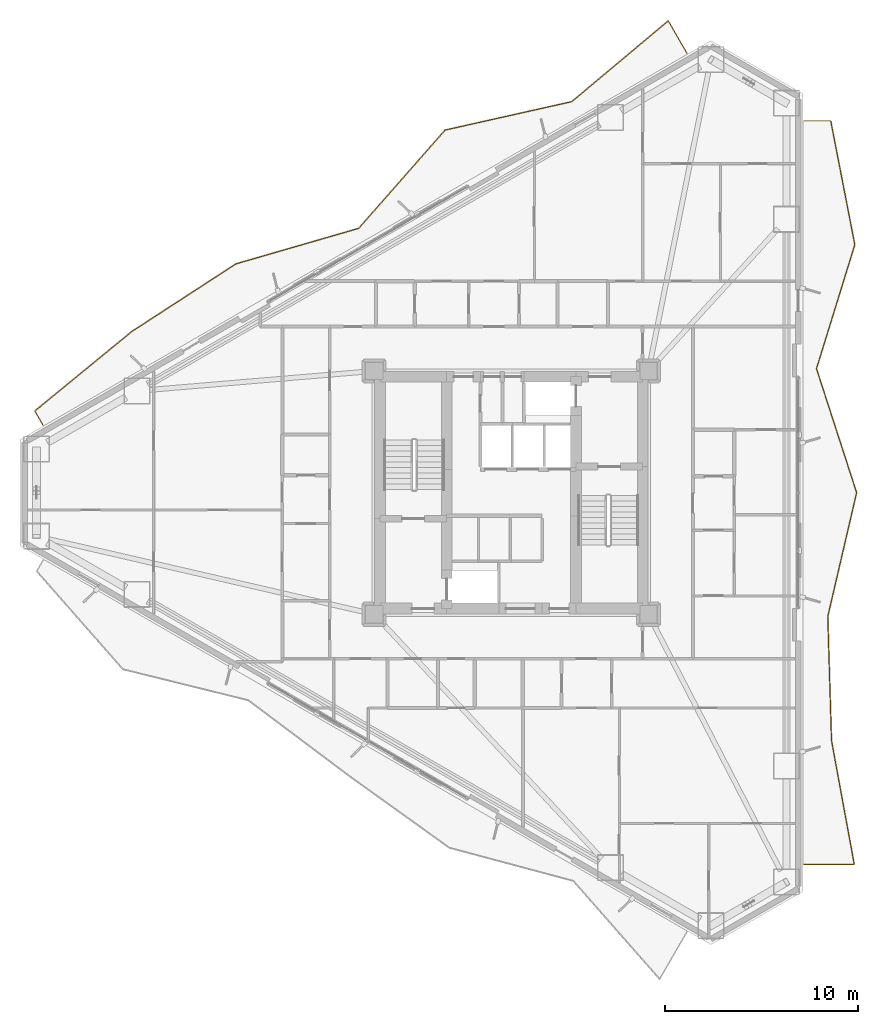
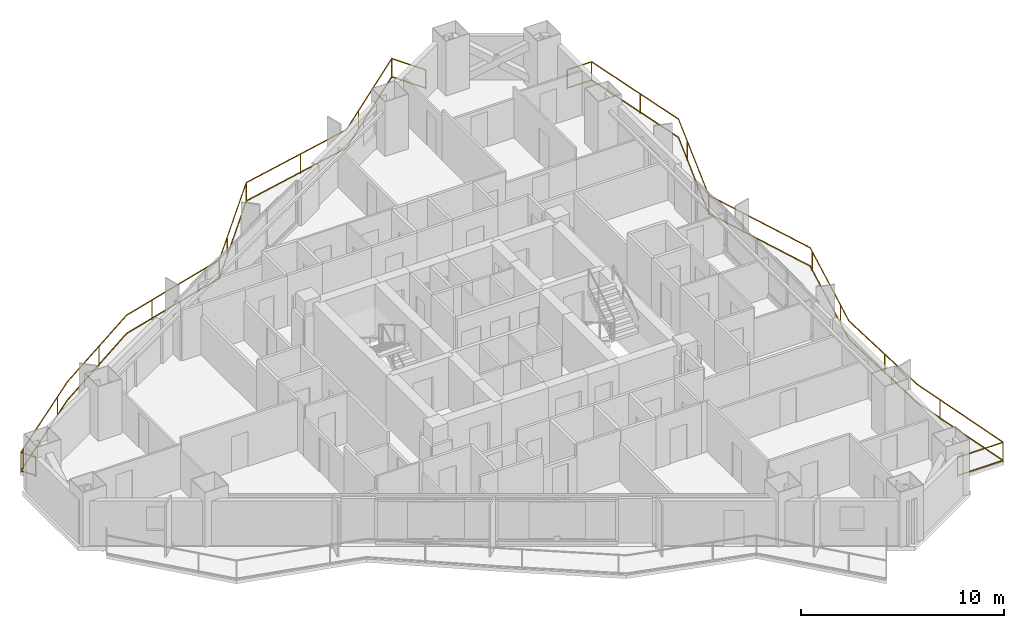
# One storey, part 19 of 19: 2 railings.
"""IFC4 building model written with IfcOpenShell, lengths in metres."""

from ifc_helpers import new_model, si_unit, direction, frame, origin, origin_2d, place, context, subcontext, project, spatial, rectangle, extrude, material, type_object, element, save


model = new_model("IFC4")

# Units and contexts
model_context = context("Model", 3, precision=1e-05, world=origin(), true_north=direction((0.0, 1.0)))
body_context = subcontext(model_context, "Body", "Model", "MODEL_VIEW")
ifc_project = project(units=[si_unit("LENGTHUNIT", "METRE"), si_unit("AREAUNIT", "SQUARE_METRE"), si_unit("VOLUMEUNIT", "CUBIC_METRE"), si_unit("PLANEANGLEUNIT", "RADIAN"), si_unit("MASSUNIT", "GRAM", prefix="KILO")], contexts=[model_context])

# Site, building, storey
site_placement = place(None, origin())
site = spatial("IfcSite", under=ifc_project, at=site_placement, CompositionType="ELEMENT")
building_placement = place(site_placement, origin())
building = spatial("IfcBuilding", under=site, at=building_placement, Name="Mersakhor Tower and Convention Hall", CompositionType="ELEMENT")
storey_placement = place(building_placement, frame((0.0, 0.0, 22.5)))
storey = spatial("IfcBuildingStorey", under=building, at=storey_placement, Name="L05", CompositionType="ELEMENT", Elevation=22.5)

# Railings
ifc_material = material(Name="Powder-coated galvanised steel and laminated glass balustrade", Category="steel")
railing_type = type_object("IfcRailingType", Name="RL-BAL-1200", PredefinedType="BALUSTRADE", material=ifc_material)
railing_1_placement = place(storey_placement, frame((38.099609375, 49.497314453125, 0.0)))
element("IfcRailing", 1, at=railing_1_placement, inside=storey, type_object=railing_type, Name="L05 Sinusoidal Balcony Balustrade F1", PredefinedType="BALUSTRADE", context=body_context, shape_type="SweptSolid", body=[
    extrude(rectangle(XDim=0.048095703125, YDim=0.048095703125, at=origin_2d()), frame((0.0, 0.0, 1.17578125), z_axis=(-0.500023861795, 0.866011626733, 0.0), x_axis=(-0.866011626733, -0.500023861795, 0.0)), (0.0, 0.0, 1.0), 1.93994140625),
    extrude(rectangle(XDim=0.048095703125, YDim=0.048095703125, at=origin_2d()), frame((0.0, 0.0, 0.080078125), z_axis=(-0.500023861795, 0.866011626733, 0.0), x_axis=(-0.866011626733, -0.500023861795, 0.0)), (0.0, 0.0, 1.0), 1.93994140625),
    extrude(rectangle(XDim=0.048095703125, YDim=0.048095703125, at=origin_2d()), frame((-0.969970703125, 1.679931640625, 1.17578125), z_axis=(-0.766683469226, -0.64202527833, 0.0), x_axis=(0.64202527833, -0.766683469226, 0.0)), (0.0, 0.0, 1.0), 6.515869140625),
    extrude(rectangle(XDim=0.048095703125, YDim=0.048095703125, at=origin_2d()), frame((-0.969970703125, 1.679931640625, 0.080078125), z_axis=(-0.766683469226, -0.64202527833, 0.0), x_axis=(0.64202527833, -0.766683469226, 0.0)), (0.0, 0.0, 1.0), 6.515869140625),
    extrude(rectangle(XDim=0.048095703125, YDim=0.048095703125, at=origin_2d()), frame((-5.965576171875, -2.50341796875, 1.17578125), z_axis=(-0.975729553006, -0.218979084367, 0.0), x_axis=(0.218979084367, -0.975729553006, 0.0)), (0.0, 0.0, 1.0), 6.723876953125),
    extrude(rectangle(XDim=0.048095703125, YDim=0.048095703125, at=origin_2d()), frame((-5.965576171875, -2.50341796875, 0.080078125), z_axis=(-0.975729553006, -0.218979084367, 0.0), x_axis=(0.218979084367, -0.975729553006, 0.0)), (0.0, 0.0, 1.0), 6.723876953125),
    extrude(rectangle(XDim=0.048095703125, YDim=0.048095703125, at=origin_2d()), frame((-12.5263671875, -3.975830078125, 1.17578125), z_axis=(-0.6602427576, -0.75105226252, 0.0), x_axis=(0.75105226252, -0.6602427576, 0.0)), (0.0, 0.0, 1.0), 6.77490234375),
    extrude(rectangle(XDim=0.048095703125, YDim=0.048095703125, at=origin_2d()), frame((-12.5263671875, -3.975830078125, 0.080078125), z_axis=(-0.6602427576, -0.75105226252, 0.0), x_axis=(0.75105226252, -0.6602427576, 0.0)), (0.0, 0.0, 1.0), 6.77490234375),
    extrude(rectangle(XDim=0.048095703125, YDim=0.048095703125, at=origin_2d()), frame((-16.99951171875, -9.064208984375, 1.17578125), z_axis=(-0.960608640003, -0.277904733229, 0.0), x_axis=(0.277904733229, -0.960608640003, 0.0)), (0.0, 0.0, 1.0), 6.61083984375),
    extrude(rectangle(XDim=0.048095703125, YDim=0.048095703125, at=origin_2d()), frame((-16.99951171875, -9.064208984375, 0.080078125), z_axis=(-0.960608640003, -0.277904733229, 0.0), x_axis=(0.277904733229, -0.960608640003, 0.0)), (0.0, 0.0, 1.0), 6.61083984375),
    extrude(rectangle(XDim=0.048095703125, YDim=0.048095703125, at=origin_2d()), frame((-23.349853515625, -10.9013671875, 1.17578125), z_axis=(-0.838670072284, -0.544639798267, 0.0), x_axis=(0.544639798267, -0.838670072284, 0.0)), (0.0, 0.0, 1.0), 6.4267578125),
    extrude(rectangle(XDim=0.048095703125, YDim=0.048095703125, at=origin_2d()), frame((-23.349853515625, -10.9013671875, 0.080078125), z_axis=(-0.838670072284, -0.544639798267, 0.0), x_axis=(0.544639798267, -0.838670072284, 0.0)), (0.0, 0.0, 1.0), 6.4267578125),
    extrude(rectangle(XDim=0.048095703125, YDim=0.048095703125, at=origin_2d()), frame((-28.73974609375, -14.401611328125, 1.17578125), z_axis=(-0.773624366154, -0.633644490304, 0.0), x_axis=(0.633644490304, -0.773624366154, 0.0)), (0.0, 0.0, 1.0), 6.50390625),
    extrude(rectangle(XDim=0.048095703125, YDim=0.048095703125, at=origin_2d()), frame((-28.73974609375, -14.401611328125, 0.080078125), z_axis=(-0.773624366154, -0.633644490304, 0.0), x_axis=(0.633644490304, -0.773624366154, 0.0)), (0.0, 0.0, 1.0), 6.50390625),
    extrude(rectangle(XDim=0.048095703125, YDim=0.048095703125, at=origin_2d()), frame((-33.771240234375, -18.522705078125, 1.17578125), z_axis=(0.499964420222, -0.866045944804, 0.0), x_axis=(0.866045944804, 0.499964420222, 0.0)), (0.0, 0.0, 1.0), 0.84423828125),
    extrude(rectangle(XDim=0.048095703125, YDim=0.048095703125, at=origin_2d()), frame((-33.771240234375, -18.522705078125, 0.080078125), z_axis=(0.499964420222, -0.866045944804, 0.0), x_axis=(0.866045944804, 0.499964420222, 0.0)), (0.0, 0.0, 1.0), 0.84423828125),
    extrude(rectangle(XDim=0.0419921875, YDim=0.0419921875, at=origin_2d()), origin(), (0.0, 0.0, 1.0), 1.15185546875),
    extrude(rectangle(XDim=0.0419921875, YDim=0.0419921875, at=origin_2d()), frame((-0.969970703125, 1.679931640625, 0.0)), (0.0, 0.0, 1.0), 1.15185546875),
    extrude(rectangle(XDim=0.0419921875, YDim=0.0419921875, at=origin_2d()), frame((-4.650146484375, -1.40185546875, 0.0)), (0.0, 0.0, 1.0), 1.15185546875),
    extrude(rectangle(XDim=0.0419921875, YDim=0.0419921875, at=origin_2d()), frame((-8.974853515625, -3.1787109375, 0.0)), (0.0, 0.0, 1.0), 1.15185546875),
    extrude(rectangle(XDim=0.0419921875, YDim=0.0419921875, at=origin_2d()), frame((-12.5263671875, -3.975830078125, 0.0)), (0.0, 0.0, 1.0), 1.15185546875),
    extrude(rectangle(XDim=0.0419921875, YDim=0.0419921875, at=origin_2d()), frame((-15.695556640625, -7.580810546875, 0.0)), (0.0, 0.0, 1.0), 1.15185546875),
    extrude(rectangle(XDim=0.0419921875, YDim=0.0419921875, at=origin_2d()), frame((-16.99951171875, -9.064208984375, 0.0)), (0.0, 0.0, 1.0), 1.15185546875),
    extrude(rectangle(XDim=0.0419921875, YDim=0.0419921875, at=origin_2d()), frame((-21.6103515625, -10.398193359375, 0.0)), (0.0, 0.0, 1.0), 1.15185546875),
    extrude(rectangle(XDim=0.0419921875, YDim=0.0419921875, at=origin_2d()), frame((-25.85693359375, -12.529541015625, 0.0)), (0.0, 0.0, 1.0), 1.15185546875),
    extrude(rectangle(XDim=0.0419921875, YDim=0.0419921875, at=origin_2d()), frame((-29.7939453125, -15.264892578125, 0.0)), (0.0, 0.0, 1.0), 1.15185546875),
    extrude(rectangle(XDim=0.0419921875, YDim=0.0419921875, at=origin_2d()), frame((-33.50732421875, -18.306396484375, 0.0)), (0.0, 0.0, 1.0), 1.15185546875),
    extrude(rectangle(XDim=0.0419921875, YDim=0.0419921875, at=origin_2d()), frame((-33.771240234375, -18.522705078125, 0.0)), (0.0, 0.0, 1.0), 1.15185546875),
    extrude(rectangle(XDim=0.0419921875, YDim=0.0419921875, at=origin_2d()), frame((-33.34912109375, -19.25390625, 0.0)), (0.0, 0.0, 1.0), 1.15185546875),
])
railing_2_placement = place(storey_placement, frame((44.14990234375, 7.49609375, 0.0)))
element("IfcRailing", 2, at=railing_2_placement, inside=storey, type_object=railing_type, Name="L05 Sinusoidal Balcony Balustrade F2", PredefinedType="BALUSTRADE", context=body_context, shape_type="SweptSolid", body=[
    extrude(rectangle(XDim=0.048095703125, YDim=0.048095703125, at=origin_2d()), frame((0.0, 0.0, 1.17578125), z_axis=(1.0, 0.0, 0.0), x_axis=(0.0, 1.0, 0.0)), (0.0, 0.0, 1.0), 2.607177734375),
    extrude(rectangle(XDim=0.048095703125, YDim=0.048095703125, at=origin_2d()), frame((0.0, 0.0, 0.080078125), z_axis=(1.0, 0.0, 0.0), x_axis=(0.0, 1.0, 0.0)), (0.0, 0.0, 1.0), 2.607177734375),
    extrude(rectangle(XDim=0.048095703125, YDim=0.048095703125, at=origin_2d()), frame((2.607177734375, 0.0, 1.17578125), z_axis=(-0.180636747497, 0.983549879495, 0.0), x_axis=(-0.983549879495, -0.180636747497, 0.0)), (0.0, 0.0, 1.0), 6.525390625),
    extrude(rectangle(XDim=0.048095703125, YDim=0.048095703125, at=origin_2d()), frame((2.607177734375, 0.0, 0.080078125), z_axis=(-0.180636747497, 0.983549879495, 0.0), x_axis=(-0.983549879495, -0.180636747497, 0.0)), (0.0, 0.0, 1.0), 6.525390625),
    extrude(rectangle(XDim=0.048095703125, YDim=0.048095703125, at=origin_2d()), frame((1.428466796875, 6.41796875, 1.17578125), z_axis=(-0.030190127599, 0.999544174209, 0.0), x_axis=(-0.999544174209, -0.030190127599, 0.0)), (0.0, 0.0, 1.0), 6.4208984375),
    extrude(rectangle(XDim=0.048095703125, YDim=0.048095703125, at=origin_2d()), frame((1.428466796875, 6.41796875, 0.080078125), z_axis=(-0.030190127599, 0.999544174209, 0.0), x_axis=(-0.999544174209, -0.030190127599, 0.0)), (0.0, 0.0, 1.0), 6.4208984375),
    extrude(rectangle(XDim=0.048095703125, YDim=0.048095703125, at=origin_2d()), frame((1.234619140625, 12.8359375, 1.17578125), z_axis=(0.226707217047, 0.973962955014, 0.0), x_axis=(-0.973962955014, 0.226707217047, 0.0)), (0.0, 0.0, 1.0), 6.589599609375),
    extrude(rectangle(XDim=0.048095703125, YDim=0.048095703125, at=origin_2d()), frame((1.234619140625, 12.8359375, 0.080078125), z_axis=(0.226707217047, 0.973962955014, 0.0), x_axis=(-0.973962955014, 0.226707217047, 0.0)), (0.0, 0.0, 1.0), 6.589599609375),
    extrude(rectangle(XDim=0.048095703125, YDim=0.048095703125, at=origin_2d()), frame((2.728515625, 19.25390625, 1.17578125), z_axis=(-0.308084286677, 0.951359065917, 0.0), x_axis=(-0.951359065917, -0.308084286677, 0.0)), (0.0, 0.0, 1.0), 6.74609375),
    extrude(rectangle(XDim=0.048095703125, YDim=0.048095703125, at=origin_2d()), frame((2.728515625, 19.25390625, 0.080078125), z_axis=(-0.308084286677, 0.951359065917, 0.0), x_axis=(-0.951359065917, -0.308084286677, 0.0)), (0.0, 0.0, 1.0), 6.74609375),
    extrude(rectangle(XDim=0.048095703125, YDim=0.048095703125, at=origin_2d()), frame((0.650146484375, 25.671875, 1.17578125), z_axis=(0.295459464406, 0.955355276791, 0.0), x_axis=(-0.955355276791, 0.295459464406, 0.0)), (0.0, 0.0, 1.0), 6.7177734375),
    extrude(rectangle(XDim=0.048095703125, YDim=0.048095703125, at=origin_2d()), frame((0.650146484375, 25.671875, 0.080078125), z_axis=(0.295459464406, 0.955355276791, 0.0), x_axis=(-0.955355276791, 0.295459464406, 0.0)), (0.0, 0.0, 1.0), 6.7177734375),
    extrude(rectangle(XDim=0.048095703125, YDim=0.048095703125, at=origin_2d()), frame((2.635009765625, 32.08984375, 1.17578125), z_axis=(-0.190885650335, 0.981612280127, 0.0), x_axis=(-0.981612280127, -0.190885650335, 0.0)), (0.0, 0.0, 1.0), 6.5380859375),
    extrude(rectangle(XDim=0.048095703125, YDim=0.048095703125, at=origin_2d()), frame((2.635009765625, 32.08984375, 0.080078125), z_axis=(-0.190885650335, 0.981612280127, 0.0), x_axis=(-0.981612280127, -0.190885650335, 0.0)), (0.0, 0.0, 1.0), 6.5380859375),
    extrude(rectangle(XDim=0.048095703125, YDim=0.048095703125, at=origin_2d()), frame((1.386962890625, 38.5078125, 1.17578125), z_axis=(-1.0, 0.0, 0.0), x_axis=(0.0, -1.0, 0.0)), (0.0, 0.0, 1.0), 1.386962890625),
    extrude(rectangle(XDim=0.048095703125, YDim=0.048095703125, at=origin_2d()), frame((1.386962890625, 38.5078125, 0.080078125), z_axis=(-1.0, 0.0, 0.0), x_axis=(0.0, -1.0, 0.0)), (0.0, 0.0, 1.0), 1.386962890625),
    extrude(rectangle(XDim=0.0419921875, YDim=0.0419921875, at=origin_2d()), origin(), (0.0, 0.0, 1.0), 1.15185546875),
    extrude(rectangle(XDim=0.0419921875, YDim=0.0419921875, at=origin_2d()), frame((2.607177734375, 0.0, 0.0)), (0.0, 0.0, 1.0), 1.15185546875),
    extrude(rectangle(XDim=0.0419921875, YDim=0.0419921875, at=origin_2d()), frame((1.740234375, 4.720947265625, 0.0)), (0.0, 0.0, 1.0), 1.15185546875),
    extrude(rectangle(XDim=0.0419921875, YDim=0.0419921875, at=origin_2d()), frame((1.335693359375, 9.4912109375, 0.0)), (0.0, 0.0, 1.0), 1.15185546875),
    extrude(rectangle(XDim=0.0419921875, YDim=0.0419921875, at=origin_2d()), frame((1.564208984375, 14.251953125, 0.0)), (0.0, 0.0, 1.0), 1.15185546875),
    extrude(rectangle(XDim=0.0419921875, YDim=0.0419921875, at=origin_2d()), frame((2.65234375, 18.927001953125, 0.0)), (0.0, 0.0, 1.0), 1.15185546875),
    extrude(rectangle(XDim=0.0419921875, YDim=0.0419921875, at=origin_2d()), frame((1.353271484375, 23.5009765625, 0.0)), (0.0, 0.0, 1.0), 1.15185546875),
    extrude(rectangle(XDim=0.0419921875, YDim=0.0419921875, at=origin_2d()), frame((0.650146484375, 25.671875, 0.0)), (0.0, 0.0, 1.0), 1.15185546875),
    extrude(rectangle(XDim=0.0419921875, YDim=0.0419921875, at=origin_2d()), frame((2.068359375, 30.257568359375, 0.0)), (0.0, 0.0, 1.0), 1.15185546875),
    extrude(rectangle(XDim=0.0419921875, YDim=0.0419921875, at=origin_2d()), frame((2.0849609375, 34.9189453125, 0.0)), (0.0, 0.0, 1.0), 1.15185546875),
    extrude(rectangle(XDim=0.0419921875, YDim=0.0419921875, at=origin_2d()), frame((1.386962890625, 38.5078125, 0.0)), (0.0, 0.0, 1.0), 1.15185546875),
    extrude(rectangle(XDim=0.0419921875, YDim=0.0419921875, at=origin_2d()), frame((0.0, 38.5078125, 0.0)), (0.0, 0.0, 1.0), 1.15185546875),
])

save(model, "model.ifc")
